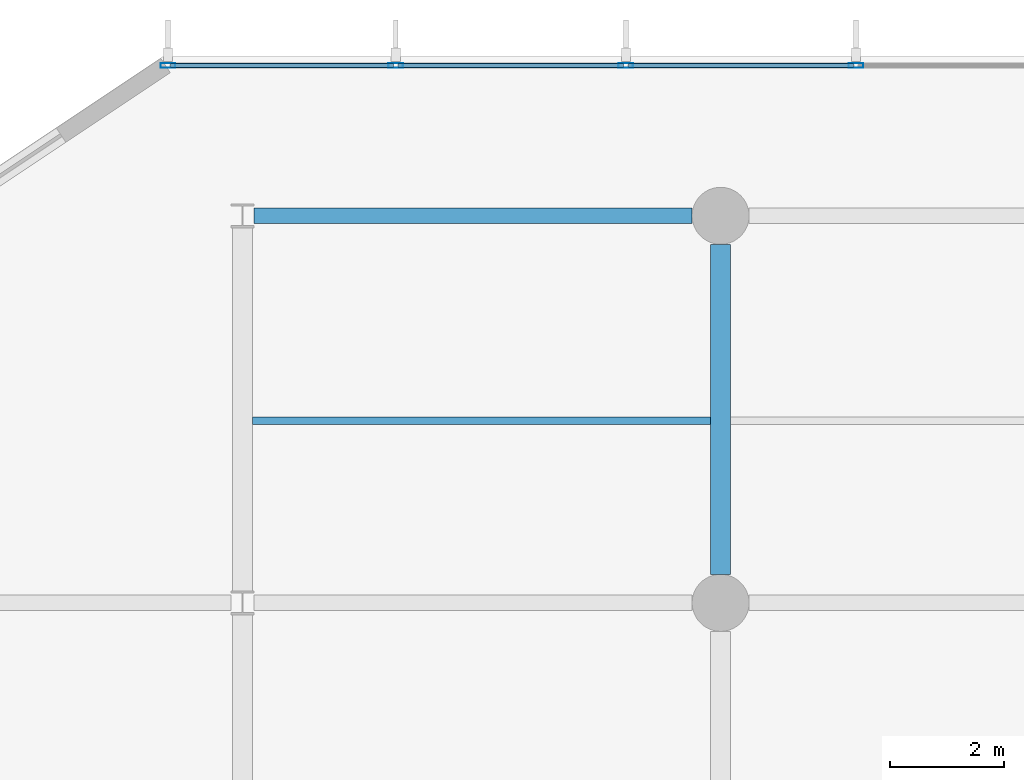
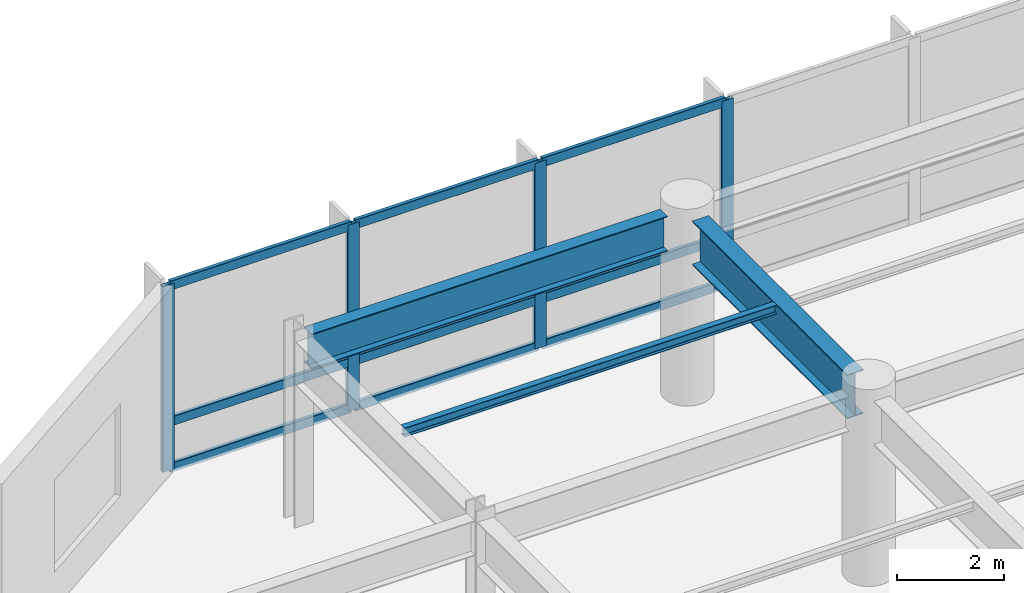
# One storey, part 5 of 26: 13 members, 3 beams, 1 element without a shape of its own.
"""IFC4 building model written with IfcOpenShell, lengths in metres."""

import ifcopenshell
import ifcopenshell.guid

model = None  # the IFC model being written
_history = None  # IfcOwnerHistory: only IFC2X3 demands one
_inside = {}  # id of a spatial element -> (the spatial element, [elements in it])
_under = {}  # id of a project, library or spatial element -> (it, [spatial elements below it])
_declared = {}  # id of a project -> (the project, [libraries it declares])
_typed = {}  # id of a type object -> (the type object, [elements of that type])
_made_of = {}  # id of a material, layer set ... -> (it, [elements and type objects made of it])


def new_model(schema):
    """Start an empty IFC model of exactly this schema.

    Asked for "IFC4X3", IfcOpenShell would pick the latest addendum, in which some entities
    have other attributes; the version numbers below select the first issue.
    IFC2X3 requires an IfcOwnerHistory on every rooted entity: one is made here for all.
    """
    global model, _history
    if schema == "IFC4X3":
        model = ifcopenshell.file(schema_version=(4, 3, 0, 0))
    else:
        model = ifcopenshell.file(schema=schema)
    _inside.clear()
    _under.clear()
    _declared.clear()
    _typed.clear()
    _made_of.clear()
    _history = None
    if model.schema == "IFC2X3":
        org = make("IfcOrganization", Name="unknown")
        user = make(
            "IfcPersonAndOrganization",
            ThePerson=make("IfcPerson", FamilyName="unknown"),
            TheOrganization=org,
        )
        app = make(
            "IfcApplication",
            ApplicationDeveloper=org,
            Version="unknown",
            ApplicationFullName="unknown",
            ApplicationIdentifier="unknown",
        )
        _history = make(
            "IfcOwnerHistory",
            OwningUser=user,
            OwningApplication=app,
            ChangeAction="ADDED",
            CreationDate=0,
        )
    return model


def make(cls, **values):
    """One entity of the class cls with the attributes given. An attribute that is None is left unset."""
    return model.create_entity(
        cls, **{name: value for name, value in values.items() if value is not None}
    )


def rooted(cls, **values):
    """An entity with a GlobalId (a new one), such as an element, a storey or a relation."""
    return make(cls, GlobalId=ifcopenshell.guid.new(), OwnerHistory=_history, **values)


def si_unit(unit_type, name, prefix=None):
    """IfcSIUnit, for example si_unit("LENGTHUNIT", "METRE", prefix="MILLI")."""
    return make("IfcSIUnit", UnitType=unit_type, Prefix=prefix, Name=name)


def assignment(units):
    """IfcUnitAssignment: the units of a project."""
    return None if units is None else make("IfcUnitAssignment", Units=units)


def point(xyz):
    """IfcCartesianPoint."""
    return None if xyz is None else make("IfcCartesianPoint", Coordinates=xyz)


def direction(xyz):
    """IfcDirection."""
    return None if xyz is None else make("IfcDirection", DirectionRatios=xyz)


def frame(location, z_axis=None, x_axis=None):
    """IfcAxis2Placement3D, a coordinate frame: its origin and axes. An axis left out is left unset."""
    return make(
        "IfcAxis2Placement3D",
        Location=point(location),
        Axis=direction(z_axis),
        RefDirection=direction(x_axis),
    )


def frame_2d(location, x_axis=None):
    """IfcAxis2Placement2D, a coordinate frame in the plane: its origin and x axis."""
    return make(
        "IfcAxis2Placement2D", Location=point(location), RefDirection=direction(x_axis)
    )


def origin():
    """The frame at (0, 0, 0) with its axes left unset."""
    return frame((0.0, 0.0, 0.0))


def origin_2d():
    """The frame at (0, 0) in the plane with its x axis left unset."""
    return frame_2d((0.0, 0.0))


def place(relative_to, where):
    """IfcLocalPlacement: puts the frame where relative to a parent placement (None: the world)."""
    return make(
        "IfcLocalPlacement", PlacementRelTo=relative_to, RelativePlacement=where
    )


def context(
    kind, dimensions, precision=None, world=None, true_north=None, identifier=None
):
    """IfcGeometricRepresentationContext, for example the 3D "Model" context."""
    return make(
        "IfcGeometricRepresentationContext",
        ContextIdentifier=identifier,
        ContextType=kind,
        CoordinateSpaceDimension=dimensions,
        Precision=precision,
        WorldCoordinateSystem=world,
        TrueNorth=true_north,
    )


def subcontext(parent, identifier, kind, view, scale=None):
    """IfcGeometricRepresentationSubContext, for example "Body" below "Model"."""
    return make(
        "IfcGeometricRepresentationSubContext",
        ContextIdentifier=identifier,
        ContextType=kind,
        ParentContext=parent,
        TargetScale=scale,
        TargetView=view,
    )


def project(units=None, contexts=None):
    """IfcProject with its units and contexts."""
    return rooted(
        "IfcProject",
        Name="project",
        RepresentationContexts=contexts,
        UnitsInContext=assignment(units),
    )


def spatial(cls, under=None, at=None, **own):
    """A site, building, storey or space (cls), placed at a placement, below another one or the project."""
    s = rooted(cls, ObjectPlacement=at, **own)
    if under is not None:
        _under.setdefault(under.id(), (under, []))[1].append(s)
    return s


def profile(cls, at=None, kind="AREA", **sizes):
    """A parametric profile (cls). Its sizes go by their IFC names, for example OverallWidth=200.0."""
    return make(cls, ProfileType=kind, Position=at, **sizes)


def hollow_rectangle(**sizes):
    """IfcRectangleHollowProfileDef."""
    return profile("IfcRectangleHollowProfileDef", **sizes)


def i_section(**sizes):
    """IfcIShapeProfileDef."""
    return profile("IfcIShapeProfileDef", **sizes)


def extrude(swept, where, along, depth):
    """IfcExtrudedAreaSolid: the profile swept, set in the frame where, extruded along a direction by depth."""
    return make(
        "IfcExtrudedAreaSolid",
        SweptArea=swept,
        Position=where,
        ExtrudedDirection=direction(along),
        Depth=depth,
    )


def shape(context_of_items, identifier, shape_type, items):
    """IfcShapeRepresentation: the items that make up one representation, for example the "Body"."""
    return make(
        "IfcShapeRepresentation",
        ContextOfItems=context_of_items,
        RepresentationIdentifier=identifier,
        RepresentationType=shape_type,
        Items=items,
    )


def material(Name=None, Category=None):
    """IfcMaterial."""
    return make("IfcMaterial", Name=Name, Category=Category)


def layer(
    of_material, thickness, ventilated=None, Name=None, Category=None, Priority=None
):
    """IfcMaterialLayer: one layer of a wall or slab, of a material (None: an air gap)."""
    return make(
        "IfcMaterialLayer",
        Material=of_material,
        LayerThickness=thickness,
        IsVentilated=ventilated,
        Name=Name,
        Category=Category,
        Priority=Priority,
    )


def layer_set(layers, Name=None):
    """IfcMaterialLayerSet."""
    return make("IfcMaterialLayerSet", MaterialLayers=layers, LayerSetName=Name)


def material_profile(
    of_material, cross_section, Name=None, Category=None, Priority=None
):
    """IfcMaterialProfile: a cross section and its material."""
    return make(
        "IfcMaterialProfile",
        Name=Name,
        Material=of_material,
        Profile=cross_section,
        Priority=Priority,
        Category=Category,
    )


def profile_set(profiles, Name=None, composite=None):
    """IfcMaterialProfileSet."""
    return make(
        "IfcMaterialProfileSet",
        Name=Name,
        MaterialProfiles=profiles,
        CompositeProfile=composite,
    )


def made_of(thing, what):
    """Note that an element or type object is made of a material, layer set ...; save() writes the relation."""
    if what is not None:
        _made_of.setdefault(what.id(), (what, []))[1].append(thing)
    return thing


def type_object(cls, material=None, **own):
    """A type object (cls), such as IfcWallType, which elements share."""
    return made_of(rooted(cls, **own), material)


def element(
    cls,
    number,
    at=None,
    inside=None,
    cuts=None,
    type_object=None,
    material=None,
    context=None,
    identifier="Body",
    shape_type=None,
    held_by="IfcProductDefinitionShape",
    body=None,
    shapes=None,
    **own,
):
    """One element of the class cls, such as IfcWall. Its Tag is "e" and its number.

    at: its placement. inside: the storey or other place that contains it. cuts: it is an
    opening in that element (IfcRelVoidsElement). A single representation is given by context,
    identifier, shape_type and body (its items); several are given by shapes. held_by: the class
    of the entity that holds the representations. save() writes the other relations.
    """
    e = rooted(cls, Tag="e%d" % number, ObjectPlacement=at, **own)
    if body is not None:
        shapes = [shape(context, identifier, shape_type, body)]
    if shapes is not None:
        e.Representation = make(held_by, Representations=shapes)
    if inside is not None:
        _inside.setdefault(inside.id(), (inside, []))[1].append(e)
    if cuts is not None:
        rooted(
            "IfcRelVoidsElement", RelatingBuildingElement=cuts, RelatedOpeningElement=e
        )
    if type_object is not None:
        _typed.setdefault(type_object.id(), (type_object, []))[1].append(e)
    return made_of(e, material)


def aggregate(whole, parts):
    """IfcRelAggregates: a whole, such as a stair, and the parts it consists of."""
    return rooted("IfcRelAggregates", RelatingObject=whole, RelatedObjects=parts)


def save(model, path):
    """Write the relations noted so far, then the file.

    IfcRelAggregates (storeys below a building ...), IfcRelContainedInSpatialStructure (elements
    in a storey), IfcRelDefinesByType, IfcRelAssociatesMaterial and IfcRelDeclares: one each for
    every whole, place, type object, material and project.
    """
    for whole, parts in _under.values():
        aggregate(whole, parts)
    for where, things in _inside.values():
        rooted(
            "IfcRelContainedInSpatialStructure",
            RelatedElements=things,
            RelatingStructure=where,
        )
    for kind, things in _typed.values():
        rooted("IfcRelDefinesByType", RelatedObjects=things, RelatingType=kind)
    for what, things in _made_of.values():
        rooted("IfcRelAssociatesMaterial", RelatedObjects=things, RelatingMaterial=what)
    for by, libraries in _declared.values():
        rooted("IfcRelDeclares", RelatingContext=by, RelatedDefinitions=libraries)
    model.write(path)


model = new_model("IFC4")

# Units and contexts
model_context = context("Model", 3, precision=1e-05, world=origin(), true_north=direction((0.0, 1.0)))
body_context = subcontext(model_context, "Body", "Model", "MODEL_VIEW")
ifc_project = project(units=[si_unit("LENGTHUNIT", "METRE"), si_unit("AREAUNIT", "SQUARE_METRE"), si_unit("VOLUMEUNIT", "CUBIC_METRE"), si_unit("PLANEANGLEUNIT", "RADIAN"), si_unit("MASSUNIT", "GRAM", prefix="KILO")], contexts=[model_context])

# Site, building, storey
site_placement = place(None, origin())
site = spatial("IfcSite", under=ifc_project, at=site_placement, CompositionType="ELEMENT")
building_placement = place(site_placement, origin())
building = spatial("IfcBuilding", under=site, at=building_placement, Name="Varnakote Quay Hospital", CompositionType="ELEMENT")
storey_placement = place(building_placement, frame((0.0, 0.0, 13.5)))
storey = spatial("IfcBuildingStorey", under=building, at=storey_placement, Name="L03", CompositionType="ELEMENT", Elevation=13.5)

# Beams
ifc_material_1 = material(Name="Structural steel AS/NZS 3678 Grade 350 (fy 340 MPa)", Category="steel")
ifc_material_profile_1 = material_profile(ifc_material_1, i_section(OverallWidth=0.35009765625, OverallDepth=1.010009765625, WebThickness=0.01611328125, FlangeThickness=0.02490234375, at=origin_2d()), Name="1000WB258")
ifc_profile_set_1 = profile_set([ifc_material_profile_1], Name="Structural steel AS/NZS 3678 Grade 350 (fy 340 MPa)")
beam_type_1 = type_object("IfcBeamType", Name="BM-STL-1000WB258", PredefinedType="BEAM", material=ifc_profile_set_1)
beam_1_placement = place(storey_placement, frame((58.800048828125, 37.699951171875, 3.7451171875), z_axis=(0.0, 1.0, 0.0), x_axis=(-1.0, 0.0, 0.0)))
element("IfcBeam", 1, at=beam_1_placement, inside=storey, type_object=beam_type_1, Name="L03 Primary Tie Beam", PredefinedType="BEAM", context=body_context, shape_type="SweptSolid", body=[
    extrude(i_section(OverallWidth=0.35009765625, OverallDepth=1.010009765625, WebThickness=0.01611328125, FlangeThickness=0.02490234375, at=origin_2d()), origin(), (0.0, 0.0, 1.0), 5.800048828125),
])
ifc_material_2 = material(Name="Structural steel AS/NZS 3678 Grade 350 (fy 340 MPa)", Category="steel")
ifc_material_profile_2 = material_profile(ifc_material_2, i_section(OverallWidth=0.27490234375, OverallDepth=0.800048828125, WebThickness=0.010009765625, FlangeThickness=0.02001953125, at=origin_2d()), Name="800WB146")
ifc_profile_set_2 = profile_set([ifc_material_profile_2], Name="Structural steel AS/NZS 3678 Grade 350 (fy 340 MPa)")
beam_type_2 = type_object("IfcBeamType", Name="BM-STL-800WB146", PredefinedType="BEAM", material=ifc_profile_set_2)
beam_2_placement = place(storey_placement, frame((50.60009765625, 44.0, 3.85009765625), z_axis=(1.0, 0.0, 0.0), x_axis=(0.0, 1.0, 0.0)))
element("IfcBeam", 2, at=beam_2_placement, inside=storey, type_object=beam_type_2, Name="L03 Primary Floor Beam", PredefinedType="BEAM", context=body_context, shape_type="SweptSolid", body=[
    extrude(i_section(OverallWidth=0.27490234375, OverallDepth=0.800048828125, WebThickness=0.010009765625, FlangeThickness=0.02001953125, at=origin_2d()), origin(), (0.0, 0.0, 1.0), 7.699951171875),
])

# Curtain wall, members
ifc_material_3 = material(Name="Anodised aluminium 6063-T6 Bronze", Category="aluminium")
ifc_layer = layer(ifc_material_3, 0.175048828125)
ifc_layer_set = layer_set([ifc_layer], Name="Anodised aluminium 6063-T6 Bronze")
curtain_wall_type = type_object("IfcCurtainWallType", Name="CW-SYS-1", PredefinedType="NOTDEFINED", material=ifc_layer_set)
curtain_wall_placement = place(storey_placement, origin())
curtain_wall = element("IfcCurtainWall", 3, at=curtain_wall_placement, inside=storey, type_object=curtain_wall_type, Name="L03 Unitised Bronze Curtain Wall 2", PredefinedType="NOTDEFINED")
ifc_material_4 = material(Name="Anodised aluminium 6063-T6 Bronze", Category="aluminium")
ifc_material_profile_3 = material_profile(ifc_material_4, hollow_rectangle(XDim=0.0849609375, YDim=0.260009765625, WallThickness=0.0048828125, InnerFilletRadius=0.0048828125, OuterFilletRadius=0.010009765625, at=origin_2d()), Name="CW-MULL-260x85")
ifc_profile_set_3 = profile_set([ifc_material_profile_3], Name="Anodised aluminium 6063-T6 Bronze")
member_type_1 = type_object("IfcMemberType", Name="CW-MULL-260x85", PredefinedType="MULLION", material=ifc_profile_set_3)
member_1_placement = place(storey_placement, frame((61.178955078125, 46.639892578125, 0.0), z_axis=(0.0, 0.0, 1.0), x_axis=(0.0, -1.0, 0.0)))
member_1 = element("IfcMember", 4, at=member_1_placement, type_object=member_type_1, Name="-1-L03-2 mullion 7", PredefinedType="MULLION", context=body_context, shape_type="SweptSolid", body=[
    extrude(hollow_rectangle(XDim=0.0849609375, YDim=0.260009765625, WallThickness=0.0048828125, InnerFilletRadius=0.0048828125, OuterFilletRadius=0.010009765625, at=origin_2d()), origin(), (0.0, 0.0, 1.0), 4.25),
])
member_2_placement = place(storey_placement, frame((57.135498046875, 46.639892578125, 0.0), z_axis=(0.0, 0.0, 1.0), x_axis=(0.0, -1.0, 0.0)))
member_2 = element("IfcMember", 5, at=member_2_placement, type_object=member_type_1, Name="-1-L03-2 mullion 8", PredefinedType="MULLION", context=body_context, shape_type="SweptSolid", body=[
    extrude(hollow_rectangle(XDim=0.0849609375, YDim=0.260009765625, WallThickness=0.0048828125, InnerFilletRadius=0.0048828125, OuterFilletRadius=0.010009765625, at=origin_2d()), origin(), (0.0, 0.0, 1.0), 4.25),
])
member_3_placement = place(storey_placement, frame((53.091796875, 46.639892578125, 0.0), z_axis=(0.0, 0.0, 1.0), x_axis=(0.0, -1.0, 0.0)))
member_3 = element("IfcMember", 6, at=member_3_placement, type_object=member_type_1, Name="-1-L03-2 mullion 9", PredefinedType="MULLION", context=body_context, shape_type="SweptSolid", body=[
    extrude(hollow_rectangle(XDim=0.0849609375, YDim=0.260009765625, WallThickness=0.0048828125, InnerFilletRadius=0.0048828125, OuterFilletRadius=0.010009765625, at=origin_2d()), origin(), (0.0, 0.0, 1.0), 4.25),
])
member_4_placement = place(storey_placement, frame((49.0908203125, 46.639892578125, 0.0), z_axis=(0.0, 0.0, 1.0), x_axis=(0.0, -1.0, 0.0)))
member_4 = element("IfcMember", 7, at=member_4_placement, type_object=member_type_1, Name="-1-L03-2 mullion 10", PredefinedType="MULLION", context=body_context, shape_type="SweptSolid", body=[
    extrude(hollow_rectangle(XDim=0.0849609375, YDim=0.260009765625, WallThickness=0.0048828125, InnerFilletRadius=0.0048828125, OuterFilletRadius=0.010009765625, at=origin_2d()), origin(), (0.0, 0.0, 1.0), 4.25),
])
ifc_material_5 = material(Name="Anodised aluminium 6063-T6 Bronze", Category="aluminium")
ifc_material_profile_4 = material_profile(ifc_material_5, hollow_rectangle(XDim=0.0849609375, YDim=0.2099609375, WallThickness=0.00439453125, InnerFilletRadius=0.00439453125, OuterFilletRadius=0.009033203125, at=origin_2d()), Name="CW-TRAN-210x85")
ifc_profile_set_4 = profile_set([ifc_material_profile_4], Name="Anodised aluminium 6063-T6 Bronze")
member_type_2 = type_object("IfcMemberType", Name="CW-TRAN-210x85", PredefinedType="USERDEFINED", material=ifc_profile_set_4)
member_5_placement = place(storey_placement, frame((61.136474609375, 46.639892578125, 0.04248046875), z_axis=(-1.0, 0.0, 0.0), x_axis=(0.0, -1.0, 0.0)))
member_5 = element("IfcMember", 8, at=member_5_placement, type_object=member_type_2, Name="-1-L03-2 transom 7.1", ObjectType="TRANSOM", PredefinedType="USERDEFINED", context=body_context, shape_type="SweptSolid", body=[
    extrude(hollow_rectangle(XDim=0.0849609375, YDim=0.2099609375, WallThickness=0.00439453125, InnerFilletRadius=0.00439453125, OuterFilletRadius=0.009033203125, at=origin_2d()), origin(), (0.0, 0.0, 1.0), 3.95849609375),
])
member_6_placement = place(storey_placement, frame((61.136474609375, 46.639892578125, 1.10009765625), z_axis=(-1.0, 0.0, 0.0), x_axis=(0.0, -1.0, 0.0)))
member_6 = element("IfcMember", 9, at=member_6_placement, type_object=member_type_2, Name="-1-L03-2 transom 7.2", ObjectType="TRANSOM", PredefinedType="USERDEFINED", context=body_context, shape_type="SweptSolid", body=[
    extrude(hollow_rectangle(XDim=0.0849609375, YDim=0.2099609375, WallThickness=0.00439453125, InnerFilletRadius=0.00439453125, OuterFilletRadius=0.009033203125, at=origin_2d()), origin(), (0.0, 0.0, 1.0), 3.95849609375),
])
member_7_placement = place(storey_placement, frame((61.136474609375, 46.639892578125, 4.20751953125), z_axis=(-1.0, 0.0, 0.0), x_axis=(0.0, -1.0, 0.0)))
member_7 = element("IfcMember", 10, at=member_7_placement, type_object=member_type_2, Name="-1-L03-2 transom 7.3", ObjectType="TRANSOM", PredefinedType="USERDEFINED", context=body_context, shape_type="SweptSolid", body=[
    extrude(hollow_rectangle(XDim=0.0849609375, YDim=0.2099609375, WallThickness=0.00439453125, InnerFilletRadius=0.00439453125, OuterFilletRadius=0.009033203125, at=origin_2d()), origin(), (0.0, 0.0, 1.0), 3.95849609375),
])
member_8_placement = place(storey_placement, frame((57.093017578125, 46.639892578125, 0.04248046875), z_axis=(-1.0, 0.0, 0.0), x_axis=(0.0, -1.0, 0.0)))
member_8 = element("IfcMember", 11, at=member_8_placement, type_object=member_type_2, Name="-1-L03-2 transom 8.1", ObjectType="TRANSOM", PredefinedType="USERDEFINED", context=body_context, shape_type="SweptSolid", body=[
    extrude(hollow_rectangle(XDim=0.0849609375, YDim=0.2099609375, WallThickness=0.00439453125, InnerFilletRadius=0.00439453125, OuterFilletRadius=0.009033203125, at=origin_2d()), origin(), (0.0, 0.0, 1.0), 3.95849609375),
])
member_9_placement = place(storey_placement, frame((57.093017578125, 46.639892578125, 1.10009765625), z_axis=(-1.0, 0.0, 0.0), x_axis=(0.0, -1.0, 0.0)))
member_9 = element("IfcMember", 12, at=member_9_placement, type_object=member_type_2, Name="-1-L03-2 transom 8.2", ObjectType="TRANSOM", PredefinedType="USERDEFINED", context=body_context, shape_type="SweptSolid", body=[
    extrude(hollow_rectangle(XDim=0.0849609375, YDim=0.2099609375, WallThickness=0.00439453125, InnerFilletRadius=0.00439453125, OuterFilletRadius=0.009033203125, at=origin_2d()), origin(), (0.0, 0.0, 1.0), 3.95849609375),
])
member_10_placement = place(storey_placement, frame((57.093017578125, 46.639892578125, 4.20751953125), z_axis=(-1.0, 0.0, 0.0), x_axis=(0.0, -1.0, 0.0)))
member_10 = element("IfcMember", 13, at=member_10_placement, type_object=member_type_2, Name="-1-L03-2 transom 8.3", ObjectType="TRANSOM", PredefinedType="USERDEFINED", context=body_context, shape_type="SweptSolid", body=[
    extrude(hollow_rectangle(XDim=0.0849609375, YDim=0.2099609375, WallThickness=0.00439453125, InnerFilletRadius=0.00439453125, OuterFilletRadius=0.009033203125, at=origin_2d()), origin(), (0.0, 0.0, 1.0), 3.95849609375),
])
member_11_placement = place(storey_placement, frame((53.04931640625, 46.639892578125, 0.04248046875), z_axis=(-1.0, 0.0, 0.0), x_axis=(0.0, -1.0, 0.0)))
member_11 = element("IfcMember", 14, at=member_11_placement, type_object=member_type_2, Name="-1-L03-2 transom 9.1", ObjectType="TRANSOM", PredefinedType="USERDEFINED", context=body_context, shape_type="SweptSolid", body=[
    extrude(hollow_rectangle(XDim=0.0849609375, YDim=0.2099609375, WallThickness=0.00439453125, InnerFilletRadius=0.00439453125, OuterFilletRadius=0.009033203125, at=origin_2d()), origin(), (0.0, 0.0, 1.0), 3.916015625),
])
member_12_placement = place(storey_placement, frame((53.04931640625, 46.639892578125, 1.10009765625), z_axis=(-1.0, 0.0, 0.0), x_axis=(0.0, -1.0, 0.0)))
member_12 = element("IfcMember", 15, at=member_12_placement, type_object=member_type_2, Name="-1-L03-2 transom 9.2", ObjectType="TRANSOM", PredefinedType="USERDEFINED", context=body_context, shape_type="SweptSolid", body=[
    extrude(hollow_rectangle(XDim=0.0849609375, YDim=0.2099609375, WallThickness=0.00439453125, InnerFilletRadius=0.00439453125, OuterFilletRadius=0.009033203125, at=origin_2d()), origin(), (0.0, 0.0, 1.0), 3.916015625),
])
member_13_placement = place(storey_placement, frame((53.04931640625, 46.639892578125, 4.20751953125), z_axis=(-1.0, 0.0, 0.0), x_axis=(0.0, -1.0, 0.0)))
member_13 = element("IfcMember", 16, at=member_13_placement, type_object=member_type_2, Name="-1-L03-2 transom 9.3", ObjectType="TRANSOM", PredefinedType="USERDEFINED", context=body_context, shape_type="SweptSolid", body=[
    extrude(hollow_rectangle(XDim=0.0849609375, YDim=0.2099609375, WallThickness=0.00439453125, InnerFilletRadius=0.00439453125, OuterFilletRadius=0.009033203125, at=origin_2d()), origin(), (0.0, 0.0, 1.0), 3.916015625),
])
aggregate(curtain_wall, [member_1, member_2, member_3, member_4, member_5, member_6, member_7, member_8, member_9, member_10, member_11, member_12, member_13])

# Beam
ifc_material_6 = material(Name="Structural steel AS/NZS 3679.1 Grade 350 L0 (fy 340 MPa)", Category="steel")
ifc_material_profile_5 = material_profile(ifc_material_6, i_section(OverallWidth=0.134033203125, OverallDepth=0.20703125, WebThickness=0.00634765625, FlangeThickness=0.009521484375, FilletRadius=0.0087890625, at=origin_2d()), Name="200UB29.8")
ifc_profile_set_5 = profile_set([ifc_material_profile_5], Name="Structural steel AS/NZS 3679.1 Grade 350 L0 (fy 340 MPa)")
beam_type_3 = type_object("IfcBeamType", Name="JST-STL-200UB29-8", PredefinedType="JOIST", material=ifc_profile_set_5)
beam_3_placement = place(storey_placement, frame((50.574951171875, 40.39990234375, 4.146484375), z_axis=(1.0, 0.0, 0.0), x_axis=(0.0, 1.0, 0.0)))
element("IfcBeam", 17, at=beam_3_placement, inside=storey, type_object=beam_type_3, Name="L03 Composite Floor Joist", PredefinedType="JOIST", context=body_context, shape_type="SweptSolid", body=[
    extrude(i_section(OverallWidth=0.134033203125, OverallDepth=0.20703125, WebThickness=0.00634765625, FlangeThickness=0.009521484375, FilletRadius=0.0087890625, at=origin_2d()), origin(), (0.0, 0.0, 1.0), 8.050048828125),
])

save(model, "model.ifc")
